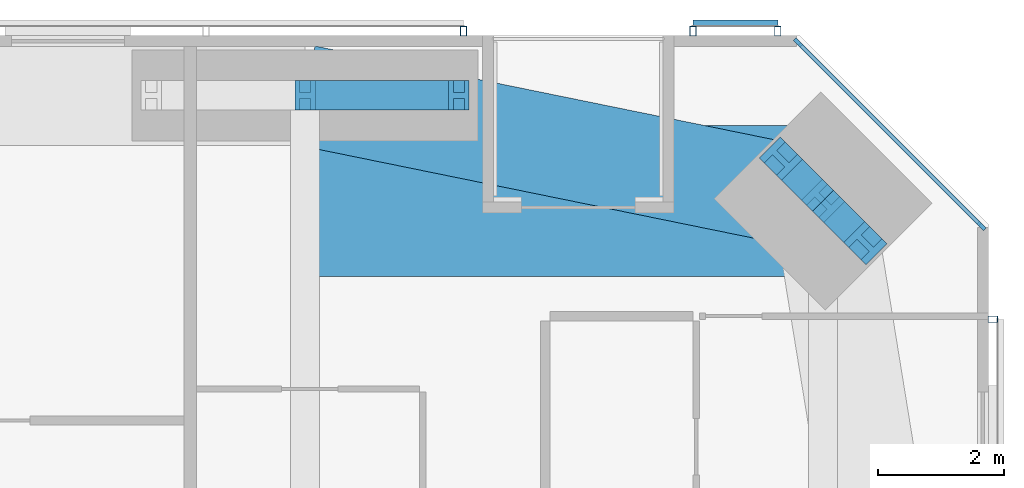
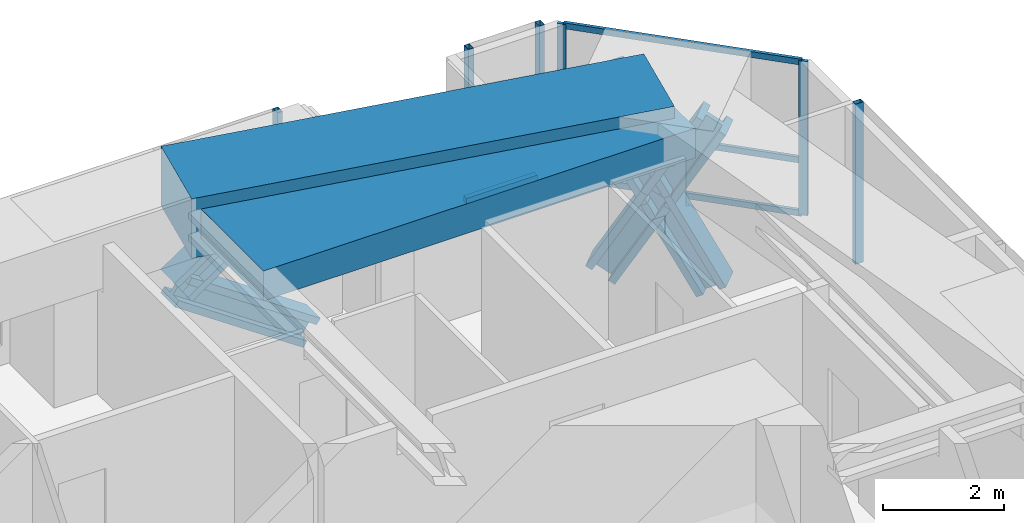
# One storey, part 14 of 23: 16 members, 2 beams, 4 elements without a shape of their own.
"""IFC4 building model written with IfcOpenShell, lengths in metres."""

from ifc_helpers import new_model, si_unit, direction, frame, origin, origin_2d, place, context, subcontext, project, spatial, rectangle, hollow_rectangle, i_section, extrude, material, material_profile, profile_set, type_object, element, aggregate, save


model = new_model("IFC4")

# Units and contexts
model_context = context("Model", 3, precision=1e-05, world=origin(), true_north=direction((0.0, 1.0)))
body_context = subcontext(model_context, "Body", "Model", "MODEL_VIEW")
ifc_project = project(units=[si_unit("LENGTHUNIT", "METRE"), si_unit("AREAUNIT", "SQUARE_METRE"), si_unit("VOLUMEUNIT", "CUBIC_METRE"), si_unit("PLANEANGLEUNIT", "RADIAN"), si_unit("MASSUNIT", "GRAM", prefix="KILO")], contexts=[model_context])

# Site, building, storey
site_placement = place(None, origin())
site = spatial("IfcSite", under=ifc_project, at=site_placement, CompositionType="ELEMENT")
building_placement = place(site_placement, origin())
building = spatial("IfcBuilding", under=site, at=building_placement, Name="Jalousie Tower", CompositionType="ELEMENT")
storey_placement = place(building_placement, frame((0.0, 0.0, 118.25)))
storey = spatial("IfcBuildingStorey", under=building, at=storey_placement, Name="L32", CompositionType="ELEMENT", Elevation=118.25)

# Curtain wall, members
ifc_material_1 = material(Name="Aluminium curtain wall", Category="aluminium")
curtain_wall_type_1 = type_object("IfcCurtainWallType", Name="CORNER WINDOW WALL", PredefinedType="USERDEFINED", material=ifc_material_1)
curtain_wall_1_placement = place(storey_placement, origin())
curtain_wall_1 = element("IfcCurtainWall", 1, at=curtain_wall_1_placement, inside=storey, type_object=curtain_wall_type_1, Name="Corner Window Wall L32 4", ObjectType="CORNER WINDOW WALL", PredefinedType="USERDEFINED")
ifc_material_2 = material(Name="Aluminium mullion", Category="aluminium")
ifc_material_profile_1 = material_profile(ifc_material_2, rectangle(XDim=0.06005859375, YDim=0.14990234375, at=origin_2d()), Name="MULLION 60x150")
ifc_profile_set_1 = profile_set([ifc_material_profile_1], Name="Aluminium mullion")
member_type_1 = type_object("IfcMemberType", Name="CORNER WINDOW WALL MULLION", PredefinedType="MULLION", material=ifc_profile_set_1)
member_1_placement = place(storey_placement, frame((49.391357421875, 34.969970703125, 0.0), z_axis=(0.0, 0.0, 1.0), x_axis=(-0.707106781187, -0.707106781187, 0.0)))
member_1 = element("IfcMember", 2, at=member_1_placement, type_object=member_type_1, Name="CW-C mullion 1", PredefinedType="MULLION", context=body_context, shape_type="SweptSolid", body=[
    extrude(rectangle(XDim=0.06005859375, YDim=0.14990234375, at=origin_2d()), origin(), (0.0, 0.0, 1.0), 3.110107421875),
])
member_2_placement = place(storey_placement, frame((46.469970703125, 37.891357421875, 0.0), z_axis=(0.0, 0.0, 1.0), x_axis=(-0.707106781187, -0.707106781187, 0.0)))
member_2 = element("IfcMember", 3, at=member_2_placement, type_object=member_type_1, Name="CW-C mullion 2", PredefinedType="MULLION", context=body_context, shape_type="SweptSolid", body=[
    extrude(rectangle(XDim=0.06005859375, YDim=0.14990234375, at=origin_2d()), origin(), (0.0, 0.0, 1.0), 3.110107421875),
])
ifc_material_3 = material(Name="Aluminium transom", Category="aluminium")
ifc_material_profile_2 = material_profile(ifc_material_3, rectangle(XDim=0.06005859375, YDim=0.1201171875, at=origin_2d()), Name="TRANSOM 60x120")
ifc_profile_set_2 = profile_set([ifc_material_profile_2], Name="Aluminium transom")
member_type_2 = type_object("IfcMemberType", Name="CORNER WINDOW WALL TRANSOM", PredefinedType="USERDEFINED", material=ifc_profile_set_2)
member_3_placement = place(storey_placement, frame((49.3701171875, 34.9912109375, 0.030029296875), z_axis=(-0.707106781187, 0.707106781187, 0.0), x_axis=(-0.707106781187, -0.707106781187, 0.0)))
member_3 = element("IfcMember", 4, at=member_3_placement, type_object=member_type_2, Name="CW-C transom 1.1", ObjectType="TRANSOM", PredefinedType="USERDEFINED", context=body_context, shape_type="SweptSolid", body=[
    extrude(rectangle(XDim=0.06005859375, YDim=0.1201171875, at=origin_2d()), origin(), (0.0, 0.0, 1.0), 4.0712890625),
])
member_4_placement = place(storey_placement, frame((49.3701171875, 34.9912109375, 1.10009765625), z_axis=(-0.707106781187, 0.707106781187, 0.0), x_axis=(-0.707106781187, -0.707106781187, 0.0)))
member_4 = element("IfcMember", 5, at=member_4_placement, type_object=member_type_2, Name="CW-C transom 1.2", ObjectType="TRANSOM", PredefinedType="USERDEFINED", context=body_context, shape_type="SweptSolid", body=[
    extrude(rectangle(XDim=0.06005859375, YDim=0.1201171875, at=origin_2d()), origin(), (0.0, 0.0, 1.0), 4.0712890625),
])
member_5_placement = place(storey_placement, frame((49.3701171875, 34.9912109375, 3.080078125), z_axis=(-0.707106781187, 0.707106781187, 0.0), x_axis=(-0.707106781187, -0.707106781187, 0.0)))
member_5 = element("IfcMember", 6, at=member_5_placement, type_object=member_type_2, Name="CW-C transom 1.3", ObjectType="TRANSOM", PredefinedType="USERDEFINED", context=body_context, shape_type="SweptSolid", body=[
    extrude(rectangle(XDim=0.06005859375, YDim=0.1201171875, at=origin_2d()), origin(), (0.0, 0.0, 1.0), 4.0712890625),
])
aggregate(curtain_wall_1, [member_1, member_2, member_3, member_4, member_5])

# Members
ifc_material_4 = material(Name="Steel ASTM A992 Grade 50", Category="steel")
ifc_material_profile_3 = material_profile(ifc_material_4, i_section(OverallWidth=0.472412109375, OverallDepth=0.5791015625, WebThickness=0.094970703125, FlangeThickness=0.1298828125, at=origin_2d()), Name="W14X808")
ifc_profile_set_3 = profile_set([ifc_material_profile_3], Name="Steel ASTM A992 Grade 50")
member_type_3 = type_object("IfcMemberType", Name="PERIMETER BRACE W14X808", PredefinedType="BRACE", material=ifc_profile_set_3)
for number, where, z_axis, x_axis, name in (
    (7, (47.540283203125, 34.697021484375, -0.60009765625), (-0.348789058631, 0.348789058631, 0.869880672943), (-0.707106781187, -0.707106781187, 0.0), "Perimeter brace 08 L32 part 1"),
    (8, (46.86865234375, 35.36865234375, 1.074951171875), (-0.348789058631, 0.348789058631, 0.869880672943), (-0.707106781187, -0.707106781187, 0.0), "Perimeter brace 08 L32 part 2"),
    (9, (46.197021484375, 36.040283203125, -0.60009765625), (0.348789058631, -0.348789058631, 0.869880672943), (0.707106781187, 0.707106781187, 0.0), "Perimeter brace 08 L32 part 3"),
    (10, (46.86865234375, 35.36865234375, 1.074951171875), (0.348789058631, -0.348789058631, 0.869880672943), (0.707106781187, 0.707106781187, 0.0), "Perimeter brace 08 L32 part 4"),
):
    element("IfcMember", number, at=place(storey_placement, frame(where, z_axis=z_axis, x_axis=x_axis)), inside=storey, type_object=member_type_3, Name=name, PredefinedType="BRACE", context=body_context, shape_type="SweptSolid", body=[
        extrude(i_section(OverallWidth=0.472412109375, OverallDepth=0.5791015625, WebThickness=0.094970703125, FlangeThickness=0.1298828125, at=origin_2d()), origin(), (0.0, 0.0, 1.0), 1.925537109375),
    ])
for number, where, z_axis, x_axis, name in (
    (11, (38.625, 37.050048828125, 1.074951171875), (0.825500916831, 0.0, 0.564400776321), (0.0, 1.0, 0.0), "Perimeter brace 09 L32 part 2"),
    (12, (41.074951171875, 37.050048828125, -0.60009765625), (-0.825500916831, 0.0, 0.564400776321), (0.0, -1.0, 0.0), "Perimeter brace 09 L32 part 3"),
):
    element("IfcMember", number, at=place(storey_placement, frame(where, z_axis=z_axis, x_axis=x_axis)), inside=storey, type_object=member_type_3, Name=name, PredefinedType="BRACE", context=body_context, shape_type="SweptSolid", body=[
        extrude(i_section(OverallWidth=0.472412109375, OverallDepth=0.5791015625, WebThickness=0.094970703125, FlangeThickness=0.1298828125, at=origin_2d()), origin(), (0.0, 0.0, 1.0), 2.9677734375),
    ])

# Beams
ifc_material_5 = material(Name="Concrete f'c 40 MPa", Category="concrete")
ifc_material_profile_4 = material_profile(ifc_material_5, rectangle(XDim=1.60009765625, YDim=1.199951171875, at=origin_2d()), Name="RC 1600x1200")
ifc_profile_set_4 = profile_set([ifc_material_profile_4], Name="Concrete f'c 40 MPa")
beam_type_1 = type_object("IfcBeamType", Name="RC BEAM 1600x1200", PredefinedType="BEAM", material=ifc_profile_set_4)
beam_1_placement = place(storey_placement, frame((46.86865234375, 35.36865234375, 2.75), z_axis=(-0.97982690954, 0.199848010602, 0.0), x_axis=(-0.199848010602, -0.97982690954, 0.0)))
element("IfcBeam", 13, at=beam_1_placement, inside=storey, type_object=beam_type_1, Name="Edge band beam 08-09 under L33", PredefinedType="BEAM", context=body_context, shape_type="SweptSolid", body=[
    extrude(rectangle(XDim=1.60009765625, YDim=1.199951171875, at=origin_2d()), origin(), (0.0, 0.0, 1.0), 8.413330078125),
])
ifc_material_6 = material(Name="Concrete f'c 40 MPa", Category="concrete")
ifc_material_profile_5 = material_profile(ifc_material_6, rectangle(XDim=2.39990234375, YDim=0.60009765625, at=origin_2d()), Name="RC 2400x600")
ifc_profile_set_5 = profile_set([ifc_material_profile_5], Name="Concrete f'c 40 MPa")
beam_type_2 = type_object("IfcBeamType", Name="RC BEAM 2400x600", PredefinedType="BEAM", material=ifc_profile_set_5)
beam_2_placement = place(storey_placement, frame((46.86865234375, 35.36865234375, 2.81005859375), z_axis=(-1.0, 0.0, 0.0), x_axis=(0.0, -1.0, 0.0)))
element("IfcBeam", 14, at=beam_2_placement, inside=storey, type_object=beam_type_2, Name="Floor band beam under L33", PredefinedType="BEAM", context=body_context, shape_type="SweptSolid", body=[
    extrude(rectangle(XDim=2.39990234375, YDim=0.60009765625, at=origin_2d()), origin(), (0.0, 0.0, 1.0), 8.24365234375),
])

# Curtain wall, member
ifc_material_7 = material(Name="Perforated aluminium sheet", Category="aluminium")
curtain_wall_type_2 = type_object("IfcCurtainWallType", Name="SOLAR SCREEN SS-1", PredefinedType="USERDEFINED", material=ifc_material_7)
curtain_wall_2_placement = place(storey_placement, origin())
curtain_wall_2 = element("IfcCurtainWall", 15, at=curtain_wall_2_placement, inside=storey, type_object=curtain_wall_type_2, Name="Solar screen L32", ObjectType="SOLAR SCREEN SS-1", PredefinedType="USERDEFINED")
ifc_material_8 = material(Name="Steel ASTM A500 Grade C", Category="steel")
ifc_material_profile_6 = material_profile(ifc_material_8, hollow_rectangle(XDim=0.1015625, YDim=0.15234375, WallThickness=0.00634765625, at=origin_2d()), Name="HSS6X4X1/4")
ifc_profile_set_6 = profile_set([ifc_material_profile_6], Name="Steel ASTM A500 Grade C")
member_type_4 = type_object("IfcMemberType", Name="SOLAR SCREEN SS-1 MULLION", PredefinedType="MULLION", material=ifc_profile_set_6)
member_6_placement = place(storey_placement, frame((49.5712890625, 33.486083984375, -0.1201171875), z_axis=(0.0, 0.0, 1.0), x_axis=(0.0, 1.0, 0.0)))
member_6 = element("IfcMember", 16, at=member_6_placement, type_object=member_type_4, Name="SS1 post 4", PredefinedType="MULLION", context=body_context, shape_type="SweptSolid", body=[
    extrude(hollow_rectangle(XDim=0.1015625, YDim=0.15234375, WallThickness=0.00634765625, at=origin_2d()), origin(), (0.0, 0.0, 1.0), 3.230224609375),
])
aggregate(curtain_wall_2, [member_6])

# Curtain wall, members
curtain_wall_3_placement = place(storey_placement, origin())
curtain_wall_3 = element("IfcCurtainWall", 17, at=curtain_wall_3_placement, inside=storey, type_object=curtain_wall_type_2, Name="Solar screen L32", ObjectType="SOLAR SCREEN SS-1", PredefinedType="USERDEFINED")
member_7_placement = place(storey_placement, frame((46.148681640625, 38.0712890625, -0.1201171875), z_axis=(0.0, 0.0, 1.0), x_axis=(-1.0, 0.0, 0.0)))
member_7 = element("IfcMember", 18, at=member_7_placement, type_object=member_type_4, Name="SS1 post 1", PredefinedType="MULLION", context=body_context, shape_type="SweptSolid", body=[
    extrude(hollow_rectangle(XDim=0.1015625, YDim=0.15234375, WallThickness=0.00634765625, at=origin_2d()), origin(), (0.0, 0.0, 1.0), 3.230224609375),
])
member_8_placement = place(storey_placement, frame((44.798583984375, 38.0712890625, -0.1201171875), z_axis=(0.0, 0.0, 1.0), x_axis=(-1.0, 0.0, 0.0)))
member_8 = element("IfcMember", 19, at=member_8_placement, type_object=member_type_4, Name="SS1 post 2", PredefinedType="MULLION", context=body_context, shape_type="SweptSolid", body=[
    extrude(hollow_rectangle(XDim=0.1015625, YDim=0.15234375, WallThickness=0.00634765625, at=origin_2d()), origin(), (0.0, 0.0, 1.0), 3.230224609375),
])

# Curtain wall, member
curtain_wall_4_placement = place(storey_placement, origin())
curtain_wall_4 = element("IfcCurtainWall", 20, at=curtain_wall_4_placement, inside=storey, type_object=curtain_wall_type_2, Name="Solar screen L32", ObjectType="SOLAR SCREEN SS-1", PredefinedType="USERDEFINED")
member_9_placement = place(storey_placement, frame((41.148681640625, 38.0712890625, -0.1201171875), z_axis=(0.0, 0.0, 1.0), x_axis=(-1.0, 0.0, 0.0)))
member_9 = element("IfcMember", 21, at=member_9_placement, type_object=member_type_4, Name="SS1 post 1", PredefinedType="MULLION", context=body_context, shape_type="SweptSolid", body=[
    extrude(hollow_rectangle(XDim=0.1015625, YDim=0.15234375, WallThickness=0.00634765625, at=origin_2d()), origin(), (0.0, 0.0, 1.0), 3.230224609375),
])
aggregate(curtain_wall_4, [member_9])

# Member
ifc_material_9 = material(Name="Extruded aluminium screen rail", Category="aluminium")
ifc_material_profile_7 = material_profile(ifc_material_9, rectangle(XDim=0.1015625, YDim=0.1201171875, at=origin_2d()), Name="RAIL 102x120")
ifc_profile_set_7 = profile_set([ifc_material_profile_7], Name="Extruded aluminium screen rail")
member_type_5 = type_object("IfcMemberType", Name="SOLAR SCREEN SS-1 TRANSOM", PredefinedType="USERDEFINED", material=ifc_profile_set_7)
member_10_placement = place(storey_placement, frame((46.148681640625, 38.1982421875, -0.06005859375), z_axis=(-1.0, 0.0, 0.0), x_axis=(0.0, -1.0, 0.0)))
member_10 = element("IfcMember", 22, at=member_10_placement, type_object=member_type_5, Name="SS1 rail", ObjectType="TRANSOM", PredefinedType="USERDEFINED", context=body_context, shape_type="SweptSolid", body=[
    extrude(rectangle(XDim=0.1015625, YDim=0.1201171875, at=origin_2d()), origin(), (0.0, 0.0, 1.0), 1.35009765625),
])

aggregate(curtain_wall_3, [member_7, member_8, member_10])

save(model, "model.ifc")
